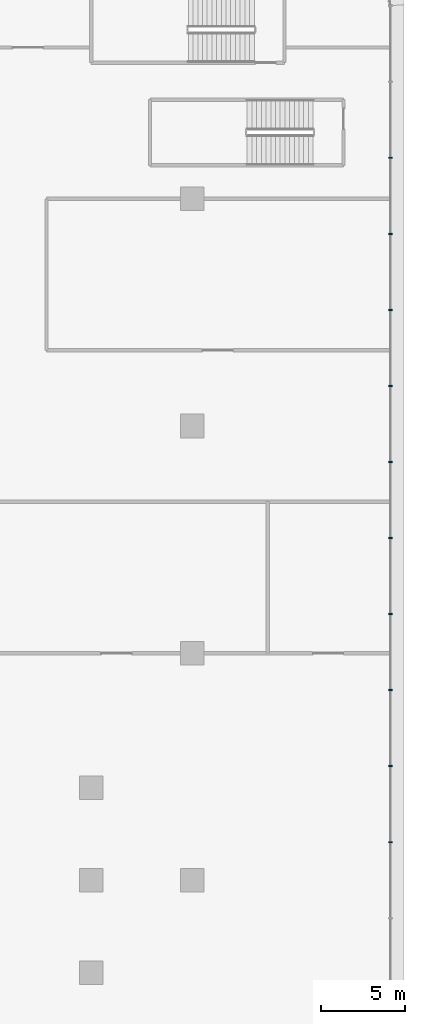
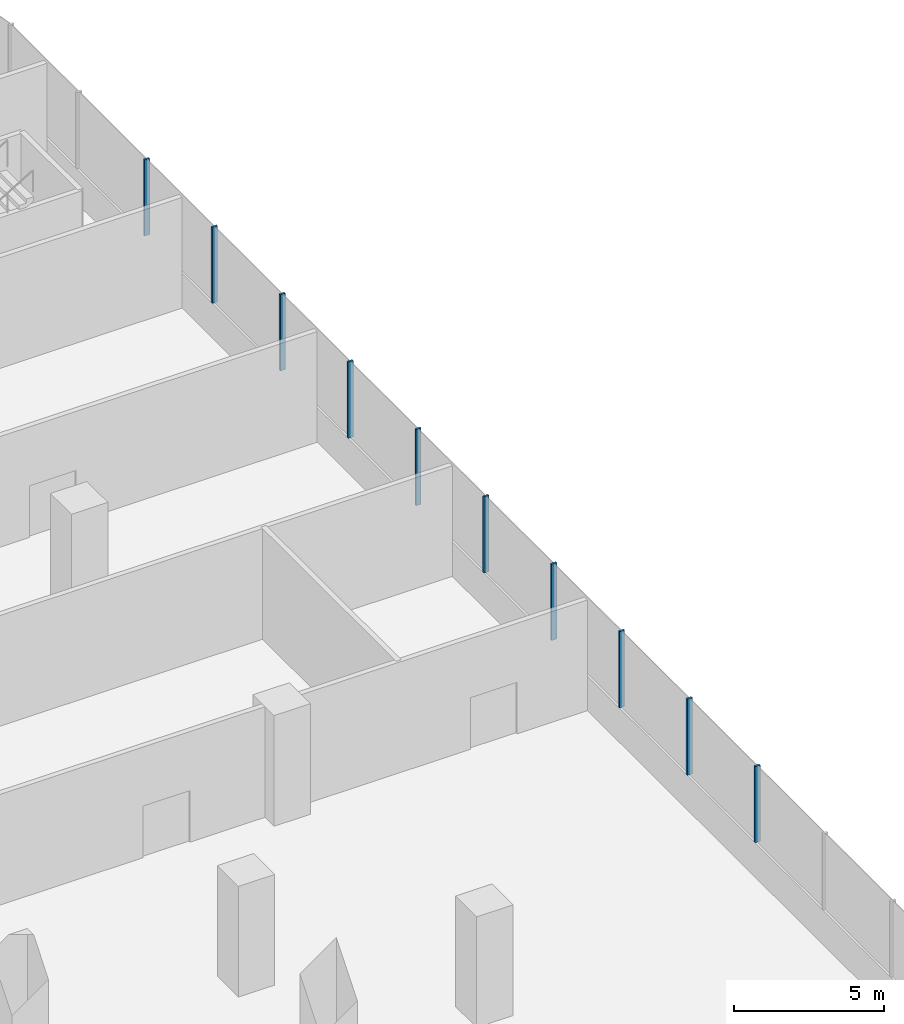
# One storey, part 19 of 44: 10 members, 1 element without a shape of its own.
"""IFC4 building model written with IfcOpenShell, lengths in metres."""

from ifc_helpers import new_model, si_unit, direction, frame, origin, origin_2d, place, context, subcontext, project, spatial, rectangle, extrude, material, layer, layer_set, material_profile, profile_set, type_object, element, aggregate, save


model = new_model("IFC4")

# Units and contexts
model_context = context("Model", 3, precision=1e-05, world=origin(), true_north=direction((0.0, 1.0)))
body_context = subcontext(model_context, "Body", "Model", "MODEL_VIEW")
ifc_project = project(units=[si_unit("LENGTHUNIT", "METRE"), si_unit("AREAUNIT", "SQUARE_METRE"), si_unit("VOLUMEUNIT", "CUBIC_METRE"), si_unit("PLANEANGLEUNIT", "RADIAN"), si_unit("MASSUNIT", "GRAM", prefix="KILO")], contexts=[model_context])

# Site, building, storey
site_placement = place(None, origin())
site = spatial("IfcSite", under=ifc_project, at=site_placement, CompositionType="ELEMENT")
building_placement = place(site_placement, origin())
building = spatial("IfcBuilding", under=site, at=building_placement, Name="Tamarind Cross Interchange Tower", CompositionType="ELEMENT")
storey_placement = place(building_placement, frame((0.0, 0.0, 15.0)))
storey = spatial("IfcBuildingStorey", under=building, at=storey_placement, Name="L02", CompositionType="ELEMENT", Elevation=15.0)

# Curtain wall, members
ifc_material = material(Name="Aluminium 6063-T6", Category="aluminium")
ifc_layer = layer(ifc_material, 0.199951171875)
ifc_layer_set = layer_set([ifc_layer], Name="Aluminium 6063-T6")
curtain_wall_type = type_object("IfcCurtainWallType", Name="Podium shopfront and station curtain wall", PredefinedType="NOTDEFINED", material=ifc_layer_set)
curtain_wall_placement = place(storey_placement, origin())
curtain_wall = element("IfcCurtainWall", 1, at=curtain_wall_placement, inside=storey, type_object=curtain_wall_type, Name="CWS-L02-00", PredefinedType="NOTDEFINED")
ifc_material_profile = material_profile(ifc_material, rectangle(XDim=0.080078125, YDim=0.199951171875, at=origin_2d()), Name="Mullion CW3")
ifc_profile_set = profile_set([ifc_material_profile], Name="Aluminium 6063-T6")
member_type = type_object("IfcMemberType", Name="Mullion CW3", PredefinedType="MULLION", material=ifc_profile_set)
member_1_placement = place(storey_placement, frame((65.800048828125, 2.26025390625, 1.39990234375), z_axis=(0.0, 0.0, 1.0), x_axis=(0.0, 1.0, 0.0)))
member_1 = element("IfcMember", 2, at=member_1_placement, type_object=member_type, Name="CWM-L02-00-12", PredefinedType="MULLION", context=body_context, shape_type="SweptSolid", body=[
    extrude(rectangle(XDim=0.080078125, YDim=0.199951171875, at=origin_2d()), origin(), (0.0, 0.0, 1.0), 3.10009765625),
])
member_2_placement = place(storey_placement, frame((65.800048828125, 6.780517578125, 1.39990234375), z_axis=(0.0, 0.0, 1.0), x_axis=(0.0, 1.0, 0.0)))
member_2 = element("IfcMember", 3, at=member_2_placement, type_object=member_type, Name="CWM-L02-00-13", PredefinedType="MULLION", context=body_context, shape_type="SweptSolid", body=[
    extrude(rectangle(XDim=0.080078125, YDim=0.199951171875, at=origin_2d()), origin(), (0.0, 0.0, 1.0), 3.10009765625),
])
member_3_placement = place(storey_placement, frame((65.800048828125, 11.301025390625, 1.39990234375), z_axis=(0.0, 0.0, 1.0), x_axis=(0.0, 1.0, 0.0)))
member_3 = element("IfcMember", 4, at=member_3_placement, type_object=member_type, Name="CWM-L02-00-14", PredefinedType="MULLION", context=body_context, shape_type="SweptSolid", body=[
    extrude(rectangle(XDim=0.080078125, YDim=0.199951171875, at=origin_2d()), origin(), (0.0, 0.0, 1.0), 3.10009765625),
])
member_4_placement = place(storey_placement, frame((65.800048828125, 15.8212890625, 1.39990234375), z_axis=(0.0, 0.0, 1.0), x_axis=(0.0, 1.0, 0.0)))
member_4 = element("IfcMember", 5, at=member_4_placement, type_object=member_type, Name="CWM-L02-00-15", PredefinedType="MULLION", context=body_context, shape_type="SweptSolid", body=[
    extrude(rectangle(XDim=0.080078125, YDim=0.199951171875, at=origin_2d()), origin(), (0.0, 0.0, 1.0), 3.10009765625),
])
member_5_placement = place(storey_placement, frame((65.800048828125, 20.341552734375, 1.39990234375), z_axis=(0.0, 0.0, 1.0), x_axis=(0.0, 1.0, 0.0)))
member_5 = element("IfcMember", 6, at=member_5_placement, type_object=member_type, Name="CWM-L02-00-16", PredefinedType="MULLION", context=body_context, shape_type="SweptSolid", body=[
    extrude(rectangle(XDim=0.080078125, YDim=0.199951171875, at=origin_2d()), origin(), (0.0, 0.0, 1.0), 3.10009765625),
])
member_6_placement = place(storey_placement, frame((65.800048828125, 24.862060546875, 1.39990234375), z_axis=(0.0, 0.0, 1.0), x_axis=(0.0, 1.0, 0.0)))
member_6 = element("IfcMember", 7, at=member_6_placement, type_object=member_type, Name="CWM-L02-00-17", PredefinedType="MULLION", context=body_context, shape_type="SweptSolid", body=[
    extrude(rectangle(XDim=0.080078125, YDim=0.199951171875, at=origin_2d()), origin(), (0.0, 0.0, 1.0), 3.10009765625),
])
member_7_placement = place(storey_placement, frame((65.800048828125, 29.38232421875, 1.39990234375), z_axis=(0.0, 0.0, 1.0), x_axis=(0.0, 1.0, 0.0)))
member_7 = element("IfcMember", 8, at=member_7_placement, type_object=member_type, Name="CWM-L02-00-18", PredefinedType="MULLION", context=body_context, shape_type="SweptSolid", body=[
    extrude(rectangle(XDim=0.080078125, YDim=0.199951171875, at=origin_2d()), origin(), (0.0, 0.0, 1.0), 3.10009765625),
])
member_8_placement = place(storey_placement, frame((65.800048828125, 33.90283203125, 1.39990234375), z_axis=(0.0, 0.0, 1.0), x_axis=(0.0, 1.0, 0.0)))
member_8 = element("IfcMember", 9, at=member_8_placement, type_object=member_type, Name="CWM-L02-00-19", PredefinedType="MULLION", context=body_context, shape_type="SweptSolid", body=[
    extrude(rectangle(XDim=0.080078125, YDim=0.199951171875, at=origin_2d()), origin(), (0.0, 0.0, 1.0), 3.10009765625),
])
member_9_placement = place(storey_placement, frame((65.800048828125, 38.423095703125, 1.39990234375), z_axis=(0.0, 0.0, 1.0), x_axis=(0.0, 1.0, 0.0)))
member_9 = element("IfcMember", 10, at=member_9_placement, type_object=member_type, Name="CWM-L02-00-20", PredefinedType="MULLION", context=body_context, shape_type="SweptSolid", body=[
    extrude(rectangle(XDim=0.080078125, YDim=0.199951171875, at=origin_2d()), origin(), (0.0, 0.0, 1.0), 3.10009765625),
])
member_10_placement = place(storey_placement, frame((65.800048828125, 42.943603515625, 1.39990234375), z_axis=(0.0, 0.0, 1.0), x_axis=(0.0, 1.0, 0.0)))
member_10 = element("IfcMember", 11, at=member_10_placement, type_object=member_type, Name="CWM-L02-00-21", PredefinedType="MULLION", context=body_context, shape_type="SweptSolid", body=[
    extrude(rectangle(XDim=0.080078125, YDim=0.199951171875, at=origin_2d()), origin(), (0.0, 0.0, 1.0), 3.10009765625),
])
aggregate(curtain_wall, [member_1, member_2, member_3, member_4, member_5, member_6, member_7, member_8, member_9, member_10])

save(model, "model.ifc")
